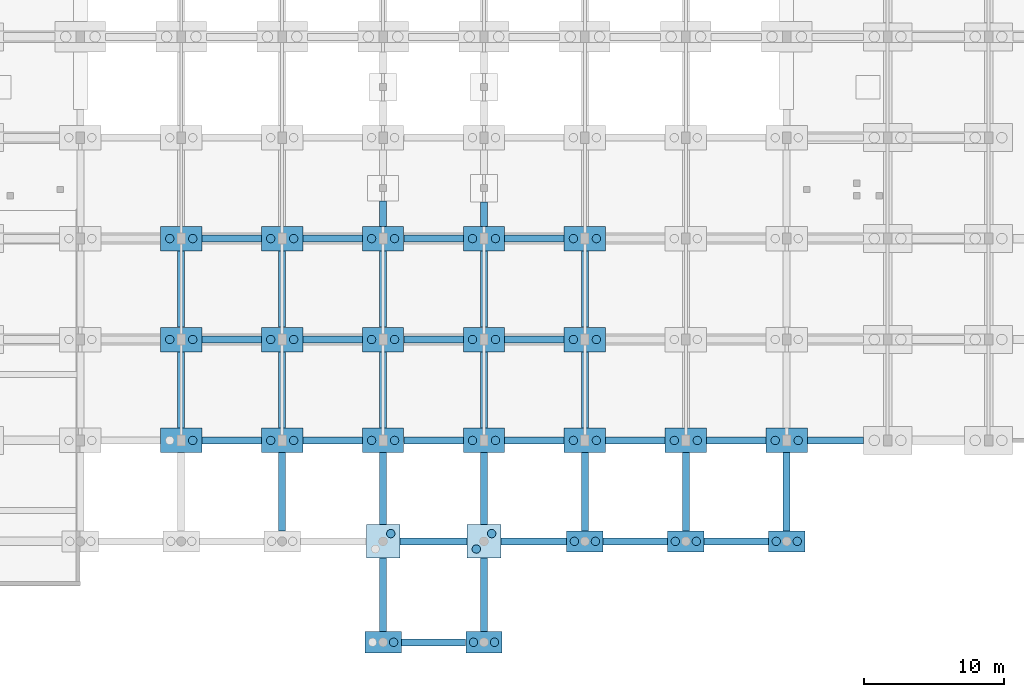
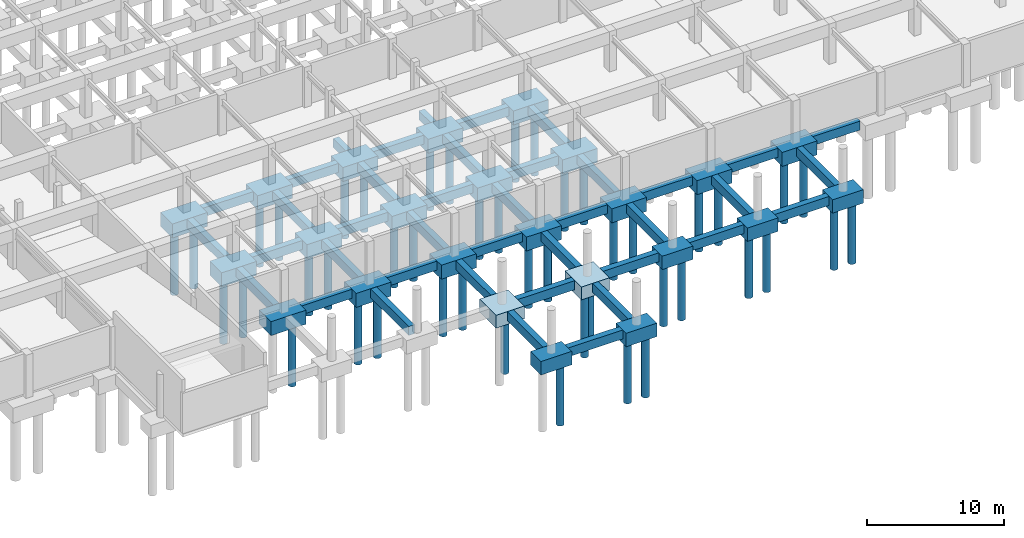
# One storey, part 4 of 36: 64 footings, 45 piles.
"""IFC4 building model written with IfcOpenShell, lengths in metres."""

from ifc_helpers import new_model, si_unit, direction, frame, origin, origin_2d, place, context, subcontext, project, spatial, rectangle, circle, extrude, material, material_profile, profile_set, type_object, element, save


model = new_model("IFC4")

# Units and contexts
model_context = context("Model", 3, precision=1e-05, world=origin(), true_north=direction((0.0, 1.0)))
body_context = subcontext(model_context, "Body", "Model", "MODEL_VIEW")
ifc_project = project(units=[si_unit("LENGTHUNIT", "METRE"), si_unit("AREAUNIT", "SQUARE_METRE"), si_unit("VOLUMEUNIT", "CUBIC_METRE"), si_unit("PLANEANGLEUNIT", "RADIAN"), si_unit("MASSUNIT", "GRAM", prefix="KILO")], contexts=[model_context])

# Site, building, storey
site_placement = place(None, origin())
site = spatial("IfcSite", under=ifc_project, at=site_placement, CompositionType="ELEMENT")
building_placement = place(site_placement, origin())
building = spatial("IfcBuilding", under=site, at=building_placement, Name="Ochrevale Crest", CompositionType="ELEMENT")
storey_placement = place(building_placement, frame((0.0, 0.0, -3.60009765625)))
storey = spatial("IfcBuildingStorey", under=building, at=storey_placement, Name="B1", CompositionType="ELEMENT", Elevation=-3.60009765625)

# Footings
ifc_material = material(Name="Concrete C40/50", Category="concrete")
footing_type_1 = type_object("IfcFootingType", Name="CAP-PC14", PredefinedType="PILE_CAP", material=ifc_material)
for number, where, z_axis, x_axis, name in (
    (1, (64.800048828125, 14.39990234375, -1.510009765625), (0.0, 0.0, 1.0), (1.0, 0.0, 0.0), "Pile cap PC14-115"),
    (2, (64.800048828125, 21.60009765625, -1.510009765625), (0.0, 0.0, 1.0), (1.0, 0.0, 0.0), "Pile cap PC14-116"),
    (3, (64.800048828125, 28.800048828125, -1.510009765625), (0.0, 0.0, 1.0), (1.0, 0.0, 0.0), "Pile cap PC14-117"),
    (4, (72.0, 14.39990234375, -1.510009765625), (0.0, 0.0, 1.0), (1.0, 0.0, 0.0), "Pile cap PC14-131"),
    (5, (72.0, 21.60009765625, -1.510009765625), (0.0, 0.0, 1.0), (1.0, 0.0, 0.0), "Pile cap PC14-132"),
    (6, (72.0, 28.800048828125, -1.510009765625), (0.0, 0.0, 1.0), (1.0, 0.0, 0.0), "Pile cap PC14-133"),
    (7, (79.199951171875, 14.39990234375, -1.510009765625), (0.0, 0.0, 1.0), (1.0, 0.0, 0.0), "Pile cap PC14-148"),
    (8, (79.199951171875, 21.60009765625, -1.510009765625), (0.0, 0.0, 1.0), (1.0, 0.0, 0.0), "Pile cap PC14-149"),
    (9, (79.199951171875, 28.800048828125, -1.510009765625), (0.0, 0.0, 1.0), (1.0, 0.0, 0.0), "Pile cap PC14-150"),
    (10, (86.39990234375, 14.39990234375, -1.510009765625), (0.0, 0.0, 1.0), (1.0, 0.0, 0.0), "Pile cap PC14-165"),
    (11, (86.39990234375, 21.60009765625, -1.510009765625), (0.0, 0.0, 1.0), (1.0, 0.0, 0.0), "Pile cap PC14-166"),
    (12, (86.39990234375, 28.800048828125, -1.510009765625), (0.0, 0.0, 1.0), (1.0, 0.0, 0.0), "Pile cap PC14-167"),
    (13, (93.60009765625, 14.39990234375, -1.510009765625), (0.0, 0.0, 1.0), (1.0, 0.0, 0.0), "Pile cap PC14-181"),
    (14, (93.60009765625, 21.60009765625, -1.510009765625), (0.0, 0.0, 1.0), (1.0, 0.0, 0.0), "Pile cap PC14-182"),
    (15, (93.60009765625, 28.800048828125, -1.510009765625), (0.0, 0.0, 1.0), (1.0, 0.0, 0.0), "Pile cap PC14-183"),
    (16, (100.800048828125, 14.39990234375, -1.510009765625), (0.0, 0.0, 1.0), (1.0, 0.0, 0.0), "Pile cap PC14-197"),
    (17, (108.0, 14.39990234375, -1.510009765625), (0.0, 0.0, 1.0), (1.0, 0.0, 0.0), "Pile cap PC14-213"),
):
    element("IfcFooting", number, at=place(storey_placement, frame(where, z_axis=z_axis, x_axis=x_axis)), inside=storey, type_object=footing_type_1, Name=name, PredefinedType="PILE_CAP", context=body_context, shape_type="SweptSolid", body=[
        extrude(rectangle(XDim=2.949951171875, YDim=1.75, at=origin_2d()), origin(), (0.0, 0.0, 1.0), 1.25),
    ])
footing_type_2 = type_object("IfcFootingType", Name="CAP-PC15", PredefinedType="PILE_CAP", material=ifc_material)
for number, where, z_axis, x_axis, name in (
    (18, (79.199951171875, 0.0, -1.4599609375), (0.0, 0.0, 1.0), (1.0, 0.0, 0.0), "Pile cap PC15-146"),
    (19, (86.39990234375, 0.0, -1.4599609375), (0.0, 0.0, 1.0), (1.0, 0.0, 0.0), "Pile cap PC15-163"),
    (20, (93.60009765625, 7.199951171875, -1.4599609375), (0.0, 0.0, 1.0), (1.0, 0.0, 0.0), "Pile cap PC15-180"),
    (21, (100.800048828125, 7.199951171875, -1.4599609375), (0.0, 0.0, 1.0), (1.0, 0.0, 0.0), "Pile cap PC15-196"),
    (22, (108.0, 7.199951171875, -1.4599609375), (0.0, 0.0, 1.0), (1.0, 0.0, 0.0), "Pile cap PC15-212"),
):
    element("IfcFooting", number, at=place(storey_placement, frame(where, z_axis=z_axis, x_axis=x_axis)), inside=storey, type_object=footing_type_2, Name=name, PredefinedType="PILE_CAP", context=body_context, shape_type="SweptSolid", body=[
        extrude(rectangle(XDim=2.60009765625, YDim=1.5, at=origin_2d()), origin(), (0.0, 0.0, 1.0), 1.199951171875),
    ])
footing_type_3 = type_object("IfcFootingType", Name="CAP-PC16", PredefinedType="PILE_CAP", material=ifc_material)
for number, where, z_axis, x_axis, name in (
    (23, (79.199951171875, 7.199951171875, -1.409912109375), (0.0, 0.0, 1.0), (1.0, 0.0, 0.0), "Pile cap PC16-147"),
    (24, (86.39990234375, 7.199951171875, -1.409912109375), (0.0, 0.0, 1.0), (1.0, 0.0, 0.0), "Pile cap PC16-164"),
):
    element("IfcFooting", number, at=place(storey_placement, frame(where, z_axis=z_axis, x_axis=x_axis)), inside=storey, type_object=footing_type_3, Name=name, PredefinedType="PILE_CAP", context=body_context, shape_type="SweptSolid", body=[
        extrude(rectangle(XDim=2.39990234375, YDim=2.39990234375, at=origin_2d()), origin(), (0.0, 0.0, 1.0), 1.14990234375),
    ])
ifc_material_profile_1 = material_profile(ifc_material, rectangle(XDim=0.5, YDim=0.800048828125, at=origin_2d()), Name="GB 500x800")
ifc_profile_set_1 = profile_set([ifc_material_profile_1], Name="Concrete C40/50")
footing_type_4 = type_object("IfcFootingType", Name="FTG-GB500x800", PredefinedType="FOOTING_BEAM", material=ifc_profile_set_1)
footing_1_placement = place(storey_placement, frame((66.277099609375, 14.39990234375, -0.659912109375), z_axis=(1.0, 0.0, 0.0), x_axis=(0.0, 1.0, 0.0)))
element("IfcFooting", 25, at=footing_1_placement, inside=storey, type_object=footing_type_4, Name="Foundation tie beam GB2-196", PredefinedType="FOOTING_BEAM", context=body_context, shape_type="SweptSolid", body=[
    extrude(rectangle(XDim=0.5, YDim=0.800048828125, at=origin_2d()), origin(), (0.0, 0.0, 1.0), 4.245849609375),
])
footing_2_placement = place(storey_placement, frame((64.800048828125, 15.277099609375, -0.659912109375), z_axis=(0.0, 1.0, 0.0), x_axis=(-1.0, 0.0, 0.0)))
element("IfcFooting", 26, at=footing_2_placement, inside=storey, type_object=footing_type_4, Name="Foundation tie beam GB2-197", PredefinedType="FOOTING_BEAM", context=body_context, shape_type="SweptSolid", body=[
    extrude(rectangle(XDim=0.5, YDim=0.800048828125, at=origin_2d()), origin(), (0.0, 0.0, 1.0), 5.44580078125),
])
footing_3_placement = place(storey_placement, frame((66.277099609375, 21.60009765625, -0.659912109375), z_axis=(1.0, 0.0, 0.0), x_axis=(0.0, 1.0, 0.0)))
element("IfcFooting", 27, at=footing_3_placement, inside=storey, type_object=footing_type_4, Name="Foundation tie beam GB2-198", PredefinedType="FOOTING_BEAM", context=body_context, shape_type="SweptSolid", body=[
    extrude(rectangle(XDim=0.5, YDim=0.800048828125, at=origin_2d()), origin(), (0.0, 0.0, 1.0), 4.245849609375),
])
footing_4_placement = place(storey_placement, frame((64.800048828125, 22.47705078125, -0.659912109375), z_axis=(0.0, 1.0, 0.0), x_axis=(-1.0, 0.0, 0.0)))
element("IfcFooting", 28, at=footing_4_placement, inside=storey, type_object=footing_type_4, Name="Foundation tie beam GB2-199", PredefinedType="FOOTING_BEAM", context=body_context, shape_type="SweptSolid", body=[
    extrude(rectangle(XDim=0.5, YDim=0.800048828125, at=origin_2d()), origin(), (0.0, 0.0, 1.0), 5.446044921875),
])
footing_5_placement = place(storey_placement, frame((66.277099609375, 28.800048828125, -0.659912109375), z_axis=(1.0, 0.0, 0.0), x_axis=(0.0, 1.0, 0.0)))
element("IfcFooting", 29, at=footing_5_placement, inside=storey, type_object=footing_type_4, Name="Foundation tie beam GB2-200", PredefinedType="FOOTING_BEAM", context=body_context, shape_type="SweptSolid", body=[
    extrude(rectangle(XDim=0.5, YDim=0.800048828125, at=origin_2d()), origin(), (0.0, 0.0, 1.0), 4.245849609375),
])
footing_6_placement = place(storey_placement, frame((72.0, 7.951904296875, -0.659912109375), z_axis=(0.0, 1.0, 0.0), x_axis=(-1.0, 0.0, 0.0)))
element("IfcFooting", 30, at=footing_6_placement, inside=storey, type_object=footing_type_4, Name="Foundation tie beam GB2-226", PredefinedType="FOOTING_BEAM", context=body_context, shape_type="SweptSolid", body=[
    extrude(rectangle(XDim=0.5, YDim=0.800048828125, at=origin_2d()), origin(), (0.0, 0.0, 1.0), 5.571044921875),
])
footing_7_placement = place(storey_placement, frame((73.47705078125, 14.39990234375, -0.659912109375), z_axis=(1.0, 0.0, 0.0), x_axis=(0.0, 1.0, 0.0)))
element("IfcFooting", 31, at=footing_7_placement, inside=storey, type_object=footing_type_4, Name="Foundation tie beam GB2-227", PredefinedType="FOOTING_BEAM", context=body_context, shape_type="SweptSolid", body=[
    extrude(rectangle(XDim=0.5, YDim=0.800048828125, at=origin_2d()), origin(), (0.0, 0.0, 1.0), 4.245849609375),
])
footing_8_placement = place(storey_placement, frame((72.0, 15.277099609375, -0.659912109375), z_axis=(0.0, 1.0, 0.0), x_axis=(-1.0, 0.0, 0.0)))
element("IfcFooting", 32, at=footing_8_placement, inside=storey, type_object=footing_type_4, Name="Foundation tie beam GB2-228", PredefinedType="FOOTING_BEAM", context=body_context, shape_type="SweptSolid", body=[
    extrude(rectangle(XDim=0.5, YDim=0.800048828125, at=origin_2d()), origin(), (0.0, 0.0, 1.0), 5.44580078125),
])
footing_9_placement = place(storey_placement, frame((73.47705078125, 21.60009765625, -0.659912109375), z_axis=(1.0, 0.0, 0.0), x_axis=(0.0, 1.0, 0.0)))
element("IfcFooting", 33, at=footing_9_placement, inside=storey, type_object=footing_type_4, Name="Foundation tie beam GB2-229", PredefinedType="FOOTING_BEAM", context=body_context, shape_type="SweptSolid", body=[
    extrude(rectangle(XDim=0.5, YDim=0.800048828125, at=origin_2d()), origin(), (0.0, 0.0, 1.0), 4.245849609375),
])
footing_10_placement = place(storey_placement, frame((72.0, 22.47705078125, -0.659912109375), z_axis=(0.0, 1.0, 0.0), x_axis=(-1.0, 0.0, 0.0)))
element("IfcFooting", 34, at=footing_10_placement, inside=storey, type_object=footing_type_4, Name="Foundation tie beam GB2-230", PredefinedType="FOOTING_BEAM", context=body_context, shape_type="SweptSolid", body=[
    extrude(rectangle(XDim=0.5, YDim=0.800048828125, at=origin_2d()), origin(), (0.0, 0.0, 1.0), 5.446044921875),
])
footing_11_placement = place(storey_placement, frame((73.47705078125, 28.800048828125, -0.659912109375), z_axis=(1.0, 0.0, 0.0), x_axis=(0.0, 1.0, 0.0)))
element("IfcFooting", 35, at=footing_11_placement, inside=storey, type_object=footing_type_4, Name="Foundation tie beam GB2-231", PredefinedType="FOOTING_BEAM", context=body_context, shape_type="SweptSolid", body=[
    extrude(rectangle(XDim=0.5, YDim=0.800048828125, at=origin_2d()), origin(), (0.0, 0.0, 1.0), 4.245849609375),
])
footing_12_placement = place(storey_placement, frame((80.501953125, 0.0, -0.659912109375), z_axis=(1.0, 0.0, 0.0), x_axis=(0.0, 1.0, 0.0)))
element("IfcFooting", 36, at=footing_12_placement, inside=storey, type_object=footing_type_4, Name="Foundation tie beam GB2-256", PredefinedType="FOOTING_BEAM", context=body_context, shape_type="SweptSolid", body=[
    extrude(rectangle(XDim=0.5, YDim=0.800048828125, at=origin_2d()), origin(), (0.0, 0.0, 1.0), 4.595947265625),
])
footing_13_placement = place(storey_placement, frame((79.199951171875, 0.751953125, -0.659912109375), z_axis=(0.0, 1.0, 0.0), x_axis=(-1.0, 0.0, 0.0)))
element("IfcFooting", 37, at=footing_13_placement, inside=storey, type_object=footing_type_4, Name="Foundation tie beam GB2-257", PredefinedType="FOOTING_BEAM", context=body_context, shape_type="SweptSolid", body=[
    extrude(rectangle(XDim=0.5, YDim=0.800048828125, at=origin_2d()), origin(), (0.0, 0.0, 1.0), 5.24609375),
])
footing_14_placement = place(storey_placement, frame((80.402099609375, 7.199951171875, -0.659912109375), z_axis=(1.0, 0.0, 0.0), x_axis=(0.0, 1.0, 0.0)))
element("IfcFooting", 38, at=footing_14_placement, inside=storey, type_object=footing_type_4, Name="Foundation tie beam GB2-258", PredefinedType="FOOTING_BEAM", context=body_context, shape_type="SweptSolid", body=[
    extrude(rectangle(XDim=0.5, YDim=0.800048828125, at=origin_2d()), origin(), (0.0, 0.0, 1.0), 4.7958984375),
])
footing_15_placement = place(storey_placement, frame((79.199951171875, 8.402099609375, -0.659912109375), z_axis=(0.0, 1.0, 0.0), x_axis=(-1.0, 0.0, 0.0)))
element("IfcFooting", 39, at=footing_15_placement, inside=storey, type_object=footing_type_4, Name="Foundation tie beam GB2-259", PredefinedType="FOOTING_BEAM", context=body_context, shape_type="SweptSolid", body=[
    extrude(rectangle(XDim=0.5, YDim=0.800048828125, at=origin_2d()), origin(), (0.0, 0.0, 1.0), 5.120849609375),
])
footing_16_placement = place(storey_placement, frame((80.677001953125, 14.39990234375, -0.659912109375), z_axis=(1.0, 0.0, 0.0), x_axis=(0.0, 1.0, 0.0)))
element("IfcFooting", 40, at=footing_16_placement, inside=storey, type_object=footing_type_4, Name="Foundation tie beam GB2-260", PredefinedType="FOOTING_BEAM", context=body_context, shape_type="SweptSolid", body=[
    extrude(rectangle(XDim=0.5, YDim=0.800048828125, at=origin_2d()), origin(), (0.0, 0.0, 1.0), 4.24609375),
])
footing_17_placement = place(storey_placement, frame((79.199951171875, 15.277099609375, -0.659912109375), z_axis=(0.0, 1.0, 0.0), x_axis=(-1.0, 0.0, 0.0)))
element("IfcFooting", 41, at=footing_17_placement, inside=storey, type_object=footing_type_4, Name="Foundation tie beam GB2-261", PredefinedType="FOOTING_BEAM", context=body_context, shape_type="SweptSolid", body=[
    extrude(rectangle(XDim=0.5, YDim=0.800048828125, at=origin_2d()), origin(), (0.0, 0.0, 1.0), 5.44580078125),
])
footing_18_placement = place(storey_placement, frame((80.677001953125, 21.60009765625, -0.659912109375), z_axis=(1.0, 0.0, 0.0), x_axis=(0.0, 1.0, 0.0)))
element("IfcFooting", 42, at=footing_18_placement, inside=storey, type_object=footing_type_4, Name="Foundation tie beam GB2-262", PredefinedType="FOOTING_BEAM", context=body_context, shape_type="SweptSolid", body=[
    extrude(rectangle(XDim=0.5, YDim=0.800048828125, at=origin_2d()), origin(), (0.0, 0.0, 1.0), 4.24609375),
])
footing_19_placement = place(storey_placement, frame((79.199951171875, 22.47705078125, -0.659912109375), z_axis=(0.0, 1.0, 0.0), x_axis=(-1.0, 0.0, 0.0)))
element("IfcFooting", 43, at=footing_19_placement, inside=storey, type_object=footing_type_4, Name="Foundation tie beam GB2-263", PredefinedType="FOOTING_BEAM", context=body_context, shape_type="SweptSolid", body=[
    extrude(rectangle(XDim=0.5, YDim=0.800048828125, at=origin_2d()), origin(), (0.0, 0.0, 1.0), 5.446044921875),
])
footing_20_placement = place(storey_placement, frame((80.677001953125, 28.800048828125, -0.659912109375), z_axis=(1.0, 0.0, 0.0), x_axis=(0.0, 1.0, 0.0)))
element("IfcFooting", 44, at=footing_20_placement, inside=storey, type_object=footing_type_4, Name="Foundation tie beam GB2-264", PredefinedType="FOOTING_BEAM", context=body_context, shape_type="SweptSolid", body=[
    extrude(rectangle(XDim=0.5, YDim=0.800048828125, at=origin_2d()), origin(), (0.0, 0.0, 1.0), 4.24609375),
])
footing_21_placement = place(storey_placement, frame((79.199951171875, 29.677001953125, -0.659912109375), z_axis=(0.0, 1.0, 0.0), x_axis=(-1.0, 0.0, 0.0)))
element("IfcFooting", 45, at=footing_21_placement, inside=storey, type_object=footing_type_4, Name="Foundation tie beam GB2-265 segment 1", PredefinedType="FOOTING_BEAM", context=body_context, shape_type="SweptSolid", body=[
    extrude(rectangle(XDim=0.5, YDim=0.800048828125, at=origin_2d()), origin(), (0.0, 0.0, 1.0), 1.821044921875),
])
footing_22_placement = place(storey_placement, frame((86.39990234375, 0.751953125, -0.659912109375), z_axis=(0.0, 1.0, 0.0), x_axis=(-1.0, 0.0, 0.0)))
element("IfcFooting", 46, at=footing_22_placement, inside=storey, type_object=footing_type_4, Name="Foundation tie beam GB2-289", PredefinedType="FOOTING_BEAM", context=body_context, shape_type="SweptSolid", body=[
    extrude(rectangle(XDim=0.5, YDim=0.800048828125, at=origin_2d()), origin(), (0.0, 0.0, 1.0), 5.24609375),
])
footing_23_placement = place(storey_placement, frame((87.60205078125, 7.199951171875, -0.659912109375), z_axis=(1.0, 0.0, 0.0), x_axis=(0.0, 1.0, 0.0)))
element("IfcFooting", 47, at=footing_23_placement, inside=storey, type_object=footing_type_4, Name="Foundation tie beam GB2-290", PredefinedType="FOOTING_BEAM", context=body_context, shape_type="SweptSolid", body=[
    extrude(rectangle(XDim=0.5, YDim=0.800048828125, at=origin_2d()), origin(), (0.0, 0.0, 1.0), 4.696044921875),
])
footing_24_placement = place(storey_placement, frame((86.39990234375, 8.402099609375, -0.659912109375), z_axis=(0.0, 1.0, 0.0), x_axis=(-1.0, 0.0, 0.0)))
element("IfcFooting", 48, at=footing_24_placement, inside=storey, type_object=footing_type_4, Name="Foundation tie beam GB2-291", PredefinedType="FOOTING_BEAM", context=body_context, shape_type="SweptSolid", body=[
    extrude(rectangle(XDim=0.5, YDim=0.800048828125, at=origin_2d()), origin(), (0.0, 0.0, 1.0), 5.120849609375),
])
footing_25_placement = place(storey_placement, frame((87.876953125, 14.39990234375, -0.659912109375), z_axis=(1.0, 0.0, 0.0), x_axis=(0.0, 1.0, 0.0)))
element("IfcFooting", 49, at=footing_25_placement, inside=storey, type_object=footing_type_4, Name="Foundation tie beam GB2-292", PredefinedType="FOOTING_BEAM", context=body_context, shape_type="SweptSolid", body=[
    extrude(rectangle(XDim=0.5, YDim=0.800048828125, at=origin_2d()), origin(), (0.0, 0.0, 1.0), 4.24609375),
])
footing_26_placement = place(storey_placement, frame((86.39990234375, 15.277099609375, -0.659912109375), z_axis=(0.0, 1.0, 0.0), x_axis=(-1.0, 0.0, 0.0)))
element("IfcFooting", 50, at=footing_26_placement, inside=storey, type_object=footing_type_4, Name="Foundation tie beam GB2-293", PredefinedType="FOOTING_BEAM", context=body_context, shape_type="SweptSolid", body=[
    extrude(rectangle(XDim=0.5, YDim=0.800048828125, at=origin_2d()), origin(), (0.0, 0.0, 1.0), 5.44580078125),
])
footing_27_placement = place(storey_placement, frame((87.876953125, 21.60009765625, -0.659912109375), z_axis=(1.0, 0.0, 0.0), x_axis=(0.0, 1.0, 0.0)))
element("IfcFooting", 51, at=footing_27_placement, inside=storey, type_object=footing_type_4, Name="Foundation tie beam GB2-294", PredefinedType="FOOTING_BEAM", context=body_context, shape_type="SweptSolid", body=[
    extrude(rectangle(XDim=0.5, YDim=0.800048828125, at=origin_2d()), origin(), (0.0, 0.0, 1.0), 4.24609375),
])
footing_28_placement = place(storey_placement, frame((86.39990234375, 22.47705078125, -0.659912109375), z_axis=(0.0, 1.0, 0.0), x_axis=(-1.0, 0.0, 0.0)))
element("IfcFooting", 52, at=footing_28_placement, inside=storey, type_object=footing_type_4, Name="Foundation tie beam GB2-295", PredefinedType="FOOTING_BEAM", context=body_context, shape_type="SweptSolid", body=[
    extrude(rectangle(XDim=0.5, YDim=0.800048828125, at=origin_2d()), origin(), (0.0, 0.0, 1.0), 5.446044921875),
])
footing_29_placement = place(storey_placement, frame((87.876953125, 28.800048828125, -0.659912109375), z_axis=(1.0, 0.0, 0.0), x_axis=(0.0, 1.0, 0.0)))
element("IfcFooting", 53, at=footing_29_placement, inside=storey, type_object=footing_type_4, Name="Foundation tie beam GB2-296", PredefinedType="FOOTING_BEAM", context=body_context, shape_type="SweptSolid", body=[
    extrude(rectangle(XDim=0.5, YDim=0.800048828125, at=origin_2d()), origin(), (0.0, 0.0, 1.0), 4.24609375),
])
footing_30_placement = place(storey_placement, frame((86.39990234375, 29.677001953125, -0.659912109375), z_axis=(0.0, 1.0, 0.0), x_axis=(-1.0, 0.0, 0.0)))
element("IfcFooting", 54, at=footing_30_placement, inside=storey, type_object=footing_type_4, Name="Foundation tie beam GB2-297 segment 1", PredefinedType="FOOTING_BEAM", context=body_context, shape_type="SweptSolid", body=[
    extrude(rectangle(XDim=0.5, YDim=0.800048828125, at=origin_2d()), origin(), (0.0, 0.0, 1.0), 1.74609375),
])
footing_31_placement = place(storey_placement, frame((94.902099609375, 7.199951171875, -0.659912109375), z_axis=(1.0, 0.0, 0.0), x_axis=(0.0, 1.0, 0.0)))
element("IfcFooting", 55, at=footing_31_placement, inside=storey, type_object=footing_type_4, Name="Foundation tie beam GB2-321", PredefinedType="FOOTING_BEAM", context=body_context, shape_type="SweptSolid", body=[
    extrude(rectangle(XDim=0.5, YDim=0.800048828125, at=origin_2d()), origin(), (0.0, 0.0, 1.0), 4.595947265625),
])
footing_32_placement = place(storey_placement, frame((93.60009765625, 7.951904296875, -0.659912109375), z_axis=(0.0, 1.0, 0.0), x_axis=(-1.0, 0.0, 0.0)))
element("IfcFooting", 56, at=footing_32_placement, inside=storey, type_object=footing_type_4, Name="Foundation tie beam GB2-322", PredefinedType="FOOTING_BEAM", context=body_context, shape_type="SweptSolid", body=[
    extrude(rectangle(XDim=0.5, YDim=0.800048828125, at=origin_2d()), origin(), (0.0, 0.0, 1.0), 5.571044921875),
])
footing_33_placement = place(storey_placement, frame((95.076904296875, 14.39990234375, -0.659912109375), z_axis=(1.0, 0.0, 0.0), x_axis=(0.0, 1.0, 0.0)))
element("IfcFooting", 57, at=footing_33_placement, inside=storey, type_object=footing_type_4, Name="Foundation tie beam GB2-323", PredefinedType="FOOTING_BEAM", context=body_context, shape_type="SweptSolid", body=[
    extrude(rectangle(XDim=0.5, YDim=0.800048828125, at=origin_2d()), origin(), (0.0, 0.0, 1.0), 4.24609375),
])
footing_34_placement = place(storey_placement, frame((93.60009765625, 15.277099609375, -0.659912109375), z_axis=(0.0, 1.0, 0.0), x_axis=(-1.0, 0.0, 0.0)))
element("IfcFooting", 58, at=footing_34_placement, inside=storey, type_object=footing_type_4, Name="Foundation tie beam GB2-324", PredefinedType="FOOTING_BEAM", context=body_context, shape_type="SweptSolid", body=[
    extrude(rectangle(XDim=0.5, YDim=0.800048828125, at=origin_2d()), origin(), (0.0, 0.0, 1.0), 5.44580078125),
])
footing_35_placement = place(storey_placement, frame((93.60009765625, 22.47705078125, -0.659912109375), z_axis=(0.0, 1.0, 0.0), x_axis=(-1.0, 0.0, 0.0)))
element("IfcFooting", 59, at=footing_35_placement, inside=storey, type_object=footing_type_4, Name="Foundation tie beam GB2-326", PredefinedType="FOOTING_BEAM", context=body_context, shape_type="SweptSolid", body=[
    extrude(rectangle(XDim=0.5, YDim=0.800048828125, at=origin_2d()), origin(), (0.0, 0.0, 1.0), 5.446044921875),
])
footing_36_placement = place(storey_placement, frame((102.10205078125, 7.199951171875, -0.659912109375), z_axis=(1.0, 0.0, 0.0), x_axis=(0.0, 1.0, 0.0)))
element("IfcFooting", 60, at=footing_36_placement, inside=storey, type_object=footing_type_4, Name="Foundation tie beam GB2-352", PredefinedType="FOOTING_BEAM", context=body_context, shape_type="SweptSolid", body=[
    extrude(rectangle(XDim=0.5, YDim=0.800048828125, at=origin_2d()), origin(), (0.0, 0.0, 1.0), 4.595947265625),
])
footing_37_placement = place(storey_placement, frame((100.800048828125, 7.951904296875, -0.659912109375), z_axis=(0.0, 1.0, 0.0), x_axis=(-1.0, 0.0, 0.0)))
element("IfcFooting", 61, at=footing_37_placement, inside=storey, type_object=footing_type_4, Name="Foundation tie beam GB2-353", PredefinedType="FOOTING_BEAM", context=body_context, shape_type="SweptSolid", body=[
    extrude(rectangle(XDim=0.5, YDim=0.800048828125, at=origin_2d()), origin(), (0.0, 0.0, 1.0), 5.571044921875),
])
footing_38_placement = place(storey_placement, frame((102.277099609375, 14.39990234375, -0.659912109375), z_axis=(1.0, 0.0, 0.0), x_axis=(0.0, 1.0, 0.0)))
element("IfcFooting", 62, at=footing_38_placement, inside=storey, type_object=footing_type_4, Name="Foundation tie beam GB2-354", PredefinedType="FOOTING_BEAM", context=body_context, shape_type="SweptSolid", body=[
    extrude(rectangle(XDim=0.5, YDim=0.800048828125, at=origin_2d()), origin(), (0.0, 0.0, 1.0), 4.245849609375),
])
footing_39_placement = place(storey_placement, frame((108.0, 7.951904296875, -0.659912109375), z_axis=(0.0, 1.0, 0.0), x_axis=(-1.0, 0.0, 0.0)))
element("IfcFooting", 63, at=footing_39_placement, inside=storey, type_object=footing_type_4, Name="Foundation tie beam GB2-383", PredefinedType="FOOTING_BEAM", context=body_context, shape_type="SweptSolid", body=[
    extrude(rectangle(XDim=0.5, YDim=0.800048828125, at=origin_2d()), origin(), (0.0, 0.0, 1.0), 5.571044921875),
])
footing_40_placement = place(storey_placement, frame((109.47705078125, 14.39990234375, -0.659912109375), z_axis=(1.0, 0.0, 0.0), x_axis=(0.0, 1.0, 0.0)))
element("IfcFooting", 64, at=footing_40_placement, inside=storey, type_object=footing_type_4, Name="Foundation tie beam GB2-384", PredefinedType="FOOTING_BEAM", context=body_context, shape_type="SweptSolid", body=[
    extrude(rectangle(XDim=0.5, YDim=0.800048828125, at=origin_2d()), origin(), (0.0, 0.0, 1.0), 3.995849609375),
])

# Piles
ifc_material_profile_2 = material_profile(ifc_material, circle(Radius=0.300048828125, at=origin_2d()), Name="BORED PILE 600")
ifc_profile_set_2 = profile_set([ifc_material_profile_2], Name="Concrete C40/50")
pile_type = type_object("IfcPileType", Name="PILE-BP600", PredefinedType="BORED", material=ifc_profile_set_2)
for number, where, z_axis, x_axis, name in (
    (65, (65.6201171875, 14.39990234375, -1.409912109375), (0.0, 0.0, -1.0), (1.0, 0.0, 0.0), "Bored pile P1-115-2"),
    (66, (63.97998046875, 21.60009765625, -1.409912109375), (0.0, 0.0, -1.0), (1.0, 0.0, 0.0), "Bored pile P1-116-1"),
    (67, (65.6201171875, 21.60009765625, -1.409912109375), (0.0, 0.0, -1.0), (1.0, 0.0, 0.0), "Bored pile P1-116-2"),
    (68, (63.97998046875, 28.800048828125, -1.409912109375), (0.0, 0.0, -1.0), (1.0, 0.0, 0.0), "Bored pile P1-117-1"),
    (69, (65.6201171875, 28.800048828125, -1.409912109375), (0.0, 0.0, -1.0), (1.0, 0.0, 0.0), "Bored pile P1-117-2"),
    (70, (71.179931640625, 14.39990234375, -1.409912109375), (0.0, 0.0, -1.0), (1.0, 0.0, 0.0), "Bored pile P1-131-1"),
    (71, (72.820068359375, 14.39990234375, -1.409912109375), (0.0, 0.0, -1.0), (1.0, 0.0, 0.0), "Bored pile P1-131-2"),
    (72, (71.179931640625, 21.60009765625, -1.409912109375), (0.0, 0.0, -1.0), (1.0, 0.0, 0.0), "Bored pile P1-132-1"),
    (73, (72.820068359375, 21.60009765625, -1.409912109375), (0.0, 0.0, -1.0), (1.0, 0.0, 0.0), "Bored pile P1-132-2"),
    (74, (71.179931640625, 28.800048828125, -1.409912109375), (0.0, 0.0, -1.0), (1.0, 0.0, 0.0), "Bored pile P1-133-1"),
    (75, (72.820068359375, 28.800048828125, -1.409912109375), (0.0, 0.0, -1.0), (1.0, 0.0, 0.0), "Bored pile P1-133-2"),
):
    element("IfcPile", number, at=place(storey_placement, frame(where, z_axis=z_axis, x_axis=x_axis)), inside=storey, type_object=pile_type, Name=name, PredefinedType="BORED", context=body_context, shape_type="SweptSolid", body=[
        extrude(circle(Radius=0.300048828125, at=origin_2d()), origin(), (0.0, 0.0, 1.0), 5.7900390625),
    ])
pile_1_placement = place(storey_placement, frame((79.949951171875, 0.0, -1.35986328125), z_axis=(0.0, 0.0, -1.0), x_axis=(1.0, 0.0, 0.0)))
element("IfcPile", 76, at=pile_1_placement, inside=storey, type_object=pile_type, Name="Bored pile P1-146-2", PredefinedType="BORED", context=body_context, shape_type="SweptSolid", body=[
    extrude(circle(Radius=0.300048828125, at=origin_2d()), origin(), (0.0, 0.0, 1.0), 5.639892578125),
])
pile_2_placement = place(storey_placement, frame((79.75, 7.75, -1.309814453125), z_axis=(0.0, 0.0, -1.0), x_axis=(1.0, 0.0, 0.0)))
element("IfcPile", 77, at=pile_2_placement, inside=storey, type_object=pile_type, Name="Bored pile P1-147-2", PredefinedType="BORED", context=body_context, shape_type="SweptSolid", body=[
    extrude(circle(Radius=0.300048828125, at=origin_2d()), origin(), (0.0, 0.0, 1.0), 5.68994140625),
])
for number, where, z_axis, x_axis, name in (
    (78, (78.3798828125, 14.39990234375, -1.409912109375), (0.0, 0.0, -1.0), (1.0, 0.0, 0.0), "Bored pile P1-148-1"),
    (79, (80.02001953125, 14.39990234375, -1.409912109375), (0.0, 0.0, -1.0), (1.0, 0.0, 0.0), "Bored pile P1-148-2"),
    (80, (78.3798828125, 21.60009765625, -1.409912109375), (0.0, 0.0, -1.0), (1.0, 0.0, 0.0), "Bored pile P1-149-1"),
    (81, (80.02001953125, 21.60009765625, -1.409912109375), (0.0, 0.0, -1.0), (1.0, 0.0, 0.0), "Bored pile P1-149-2"),
    (82, (78.3798828125, 28.800048828125, -1.409912109375), (0.0, 0.0, -1.0), (1.0, 0.0, 0.0), "Bored pile P1-150-1"),
    (83, (80.02001953125, 28.800048828125, -1.409912109375), (0.0, 0.0, -1.0), (1.0, 0.0, 0.0), "Bored pile P1-150-2"),
):
    element("IfcPile", number, at=place(storey_placement, frame(where, z_axis=z_axis, x_axis=x_axis)), inside=storey, type_object=pile_type, Name=name, PredefinedType="BORED", context=body_context, shape_type="SweptSolid", body=[
        extrude(circle(Radius=0.300048828125, at=origin_2d()), origin(), (0.0, 0.0, 1.0), 5.7900390625),
    ])
for number, where, z_axis, x_axis, name in (
    (84, (85.64990234375, 0.0, -1.35986328125), (0.0, 0.0, -1.0), (1.0, 0.0, 0.0), "Bored pile P1-163-1"),
    (85, (87.14990234375, 0.0, -1.35986328125), (0.0, 0.0, -1.0), (1.0, 0.0, 0.0), "Bored pile P1-163-2"),
):
    element("IfcPile", number, at=place(storey_placement, frame(where, z_axis=z_axis, x_axis=x_axis)), inside=storey, type_object=pile_type, Name=name, PredefinedType="BORED", context=body_context, shape_type="SweptSolid", body=[
        extrude(circle(Radius=0.300048828125, at=origin_2d()), origin(), (0.0, 0.0, 1.0), 5.639892578125),
    ])
for number, where, z_axis, x_axis, name in (
    (86, (85.85009765625, 6.64990234375, -1.309814453125), (0.0, 0.0, -1.0), (1.0, 0.0, 0.0), "Bored pile P1-164-1"),
    (87, (86.949951171875, 7.75, -1.309814453125), (0.0, 0.0, -1.0), (1.0, 0.0, 0.0), "Bored pile P1-164-2"),
):
    element("IfcPile", number, at=place(storey_placement, frame(where, z_axis=z_axis, x_axis=x_axis)), inside=storey, type_object=pile_type, Name=name, PredefinedType="BORED", context=body_context, shape_type="SweptSolid", body=[
        extrude(circle(Radius=0.300048828125, at=origin_2d()), origin(), (0.0, 0.0, 1.0), 5.68994140625),
    ])
for number, where, z_axis, x_axis, name in (
    (88, (85.580078125, 14.39990234375, -1.409912109375), (0.0, 0.0, -1.0), (1.0, 0.0, 0.0), "Bored pile P1-165-1"),
    (89, (87.219970703125, 14.39990234375, -1.409912109375), (0.0, 0.0, -1.0), (1.0, 0.0, 0.0), "Bored pile P1-165-2"),
    (90, (85.580078125, 21.60009765625, -1.409912109375), (0.0, 0.0, -1.0), (1.0, 0.0, 0.0), "Bored pile P1-166-1"),
    (91, (87.219970703125, 21.60009765625, -1.409912109375), (0.0, 0.0, -1.0), (1.0, 0.0, 0.0), "Bored pile P1-166-2"),
    (92, (85.580078125, 28.800048828125, -1.409912109375), (0.0, 0.0, -1.0), (1.0, 0.0, 0.0), "Bored pile P1-167-1"),
    (93, (87.219970703125, 28.800048828125, -1.409912109375), (0.0, 0.0, -1.0), (1.0, 0.0, 0.0), "Bored pile P1-167-2"),
):
    element("IfcPile", number, at=place(storey_placement, frame(where, z_axis=z_axis, x_axis=x_axis)), inside=storey, type_object=pile_type, Name=name, PredefinedType="BORED", context=body_context, shape_type="SweptSolid", body=[
        extrude(circle(Radius=0.300048828125, at=origin_2d()), origin(), (0.0, 0.0, 1.0), 5.7900390625),
    ])
for number, where, z_axis, x_axis, name in (
    (94, (92.85009765625, 7.199951171875, -1.35986328125), (0.0, 0.0, -1.0), (1.0, 0.0, 0.0), "Bored pile P1-180-1"),
    (95, (94.35009765625, 7.199951171875, -1.35986328125), (0.0, 0.0, -1.0), (1.0, 0.0, 0.0), "Bored pile P1-180-2"),
):
    element("IfcPile", number, at=place(storey_placement, frame(where, z_axis=z_axis, x_axis=x_axis)), inside=storey, type_object=pile_type, Name=name, PredefinedType="BORED", context=body_context, shape_type="SweptSolid", body=[
        extrude(circle(Radius=0.300048828125, at=origin_2d()), origin(), (0.0, 0.0, 1.0), 5.639892578125),
    ])
for number, where, z_axis, x_axis, name in (
    (96, (92.780029296875, 14.39990234375, -1.409912109375), (0.0, 0.0, -1.0), (1.0, 0.0, 0.0), "Bored pile P1-181-1"),
    (97, (94.419921875, 14.39990234375, -1.409912109375), (0.0, 0.0, -1.0), (1.0, 0.0, 0.0), "Bored pile P1-181-2"),
    (98, (92.780029296875, 21.60009765625, -1.409912109375), (0.0, 0.0, -1.0), (1.0, 0.0, 0.0), "Bored pile P1-182-1"),
    (99, (94.419921875, 21.60009765625, -1.409912109375), (0.0, 0.0, -1.0), (1.0, 0.0, 0.0), "Bored pile P1-182-2"),
    (100, (92.780029296875, 28.800048828125, -1.409912109375), (0.0, 0.0, -1.0), (1.0, 0.0, 0.0), "Bored pile P1-183-1"),
    (101, (94.419921875, 28.800048828125, -1.409912109375), (0.0, 0.0, -1.0), (1.0, 0.0, 0.0), "Bored pile P1-183-2"),
):
    element("IfcPile", number, at=place(storey_placement, frame(where, z_axis=z_axis, x_axis=x_axis)), inside=storey, type_object=pile_type, Name=name, PredefinedType="BORED", context=body_context, shape_type="SweptSolid", body=[
        extrude(circle(Radius=0.300048828125, at=origin_2d()), origin(), (0.0, 0.0, 1.0), 5.7900390625),
    ])
for number, where, z_axis, x_axis, name in (
    (102, (100.050048828125, 7.199951171875, -1.35986328125), (0.0, 0.0, -1.0), (1.0, 0.0, 0.0), "Bored pile P1-196-1"),
    (103, (101.550048828125, 7.199951171875, -1.35986328125), (0.0, 0.0, -1.0), (1.0, 0.0, 0.0), "Bored pile P1-196-2"),
):
    element("IfcPile", number, at=place(storey_placement, frame(where, z_axis=z_axis, x_axis=x_axis)), inside=storey, type_object=pile_type, Name=name, PredefinedType="BORED", context=body_context, shape_type="SweptSolid", body=[
        extrude(circle(Radius=0.300048828125, at=origin_2d()), origin(), (0.0, 0.0, 1.0), 5.639892578125),
    ])
for number, where, z_axis, x_axis, name in (
    (104, (99.97998046875, 14.39990234375, -1.409912109375), (0.0, 0.0, -1.0), (1.0, 0.0, 0.0), "Bored pile P1-197-1"),
    (105, (101.6201171875, 14.39990234375, -1.409912109375), (0.0, 0.0, -1.0), (1.0, 0.0, 0.0), "Bored pile P1-197-2"),
):
    element("IfcPile", number, at=place(storey_placement, frame(where, z_axis=z_axis, x_axis=x_axis)), inside=storey, type_object=pile_type, Name=name, PredefinedType="BORED", context=body_context, shape_type="SweptSolid", body=[
        extrude(circle(Radius=0.300048828125, at=origin_2d()), origin(), (0.0, 0.0, 1.0), 5.7900390625),
    ])
for number, where, z_axis, x_axis, name in (
    (106, (107.25, 7.199951171875, -1.35986328125), (0.0, 0.0, -1.0), (1.0, 0.0, 0.0), "Bored pile P1-212-1"),
    (107, (108.75, 7.199951171875, -1.35986328125), (0.0, 0.0, -1.0), (1.0, 0.0, 0.0), "Bored pile P1-212-2"),
):
    element("IfcPile", number, at=place(storey_placement, frame(where, z_axis=z_axis, x_axis=x_axis)), inside=storey, type_object=pile_type, Name=name, PredefinedType="BORED", context=body_context, shape_type="SweptSolid", body=[
        extrude(circle(Radius=0.300048828125, at=origin_2d()), origin(), (0.0, 0.0, 1.0), 5.639892578125),
    ])
for number, where, z_axis, x_axis, name in (
    (108, (107.179931640625, 14.39990234375, -1.409912109375), (0.0, 0.0, -1.0), (1.0, 0.0, 0.0), "Bored pile P1-213-1"),
    (109, (108.820068359375, 14.39990234375, -1.409912109375), (0.0, 0.0, -1.0), (1.0, 0.0, 0.0), "Bored pile P1-213-2"),
):
    element("IfcPile", number, at=place(storey_placement, frame(where, z_axis=z_axis, x_axis=x_axis)), inside=storey, type_object=pile_type, Name=name, PredefinedType="BORED", context=body_context, shape_type="SweptSolid", body=[
        extrude(circle(Radius=0.300048828125, at=origin_2d()), origin(), (0.0, 0.0, 1.0), 5.7900390625),
    ])

save(model, "model.ifc")
